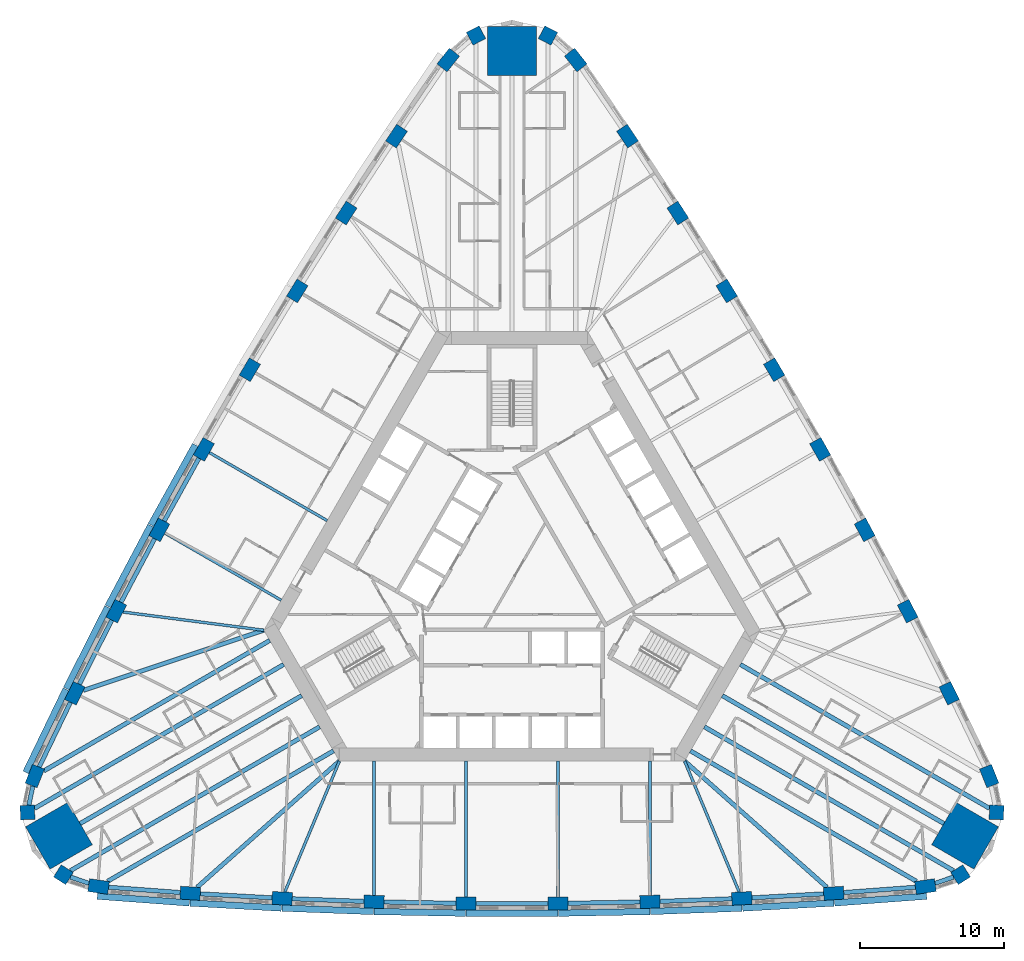
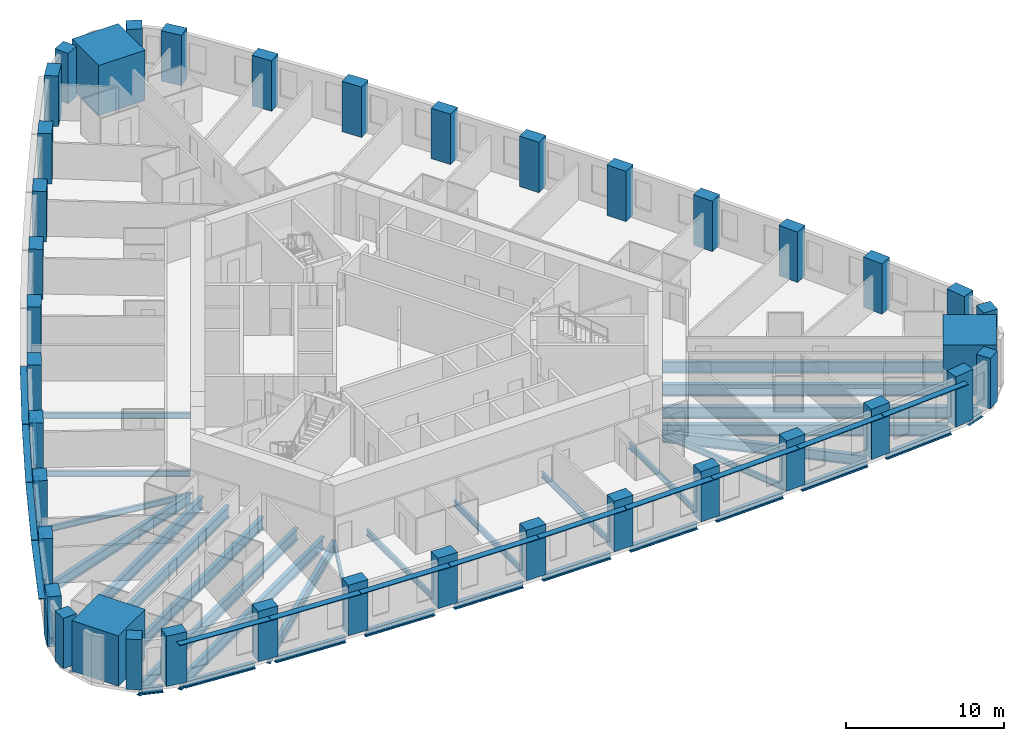
# One storey, part 1 of 13: 39 columns, 37 beams, 13 members.
"""IFC4 building model written with IfcOpenShell, lengths in metres."""

from ifc_helpers import new_model, si_unit, direction, frame, origin, origin_2d, place, context, subcontext, project, spatial, rectangle, i_section, extrude, material, material_profile, profile_set, type_object, element, save


model = new_model("IFC4")

# Units and contexts
model_context = context("Model", 3, precision=1e-05, world=origin(), true_north=direction((0.0, 1.0)))
body_context = subcontext(model_context, "Body", "Model", "MODEL_VIEW")
ifc_project = project(units=[si_unit("LENGTHUNIT", "METRE"), si_unit("AREAUNIT", "SQUARE_METRE"), si_unit("VOLUMEUNIT", "CUBIC_METRE"), si_unit("PLANEANGLEUNIT", "RADIAN"), si_unit("MASSUNIT", "GRAM", prefix="KILO")], contexts=[model_context])

# Site, building, storey
site_placement = place(None, origin())
site = spatial("IfcSite", under=ifc_project, at=site_placement, CompositionType="ELEMENT")
building_placement = place(site_placement, origin())
building = spatial("IfcBuilding", under=site, at=building_placement, Name="Mestral Congress Tower", CompositionType="ELEMENT")
storey_placement = place(building_placement, frame((0.0, 0.0, 54.89990234375)))
storey = spatial("IfcBuildingStorey", under=building, at=storey_placement, Name="L12", CompositionType="ELEMENT", Elevation=54.89990234375)

# Columns
ifc_material_1 = material(Name="Concrete C70/85", Category="concrete")
ifc_material_profile_1 = material_profile(ifc_material_1, rectangle(XDim=1.0, YDim=1.0, at=origin_2d()), Name="RC 1000x1000")
ifc_profile_set_1 = profile_set([ifc_material_profile_1], Name="Concrete C70/85")
column_type_1 = type_object("IfcColumnType", Name="Column RC 1000x1000 C70/85", PredefinedType="COLUMN", material=ifc_profile_set_1)
for number, where, z_axis, x_axis, name in (
    (1, (31.210205078125, -20.90966796875, 0.0), (0.0, 0.0, 1.0), (0.844485001826, 0.535579202071, 0.0), "COL-L12-C1-SE1"),
    (2, (33.71337890625, -16.573974609375, 0.0), (0.0, 0.0, 1.0), (0.041582693819, 0.999135065732, 0.0), "COL-L12-C1-SE3"),
    (3, (2.503173828125, 37.483642578125, 0.0), (0.0, 0.0, 1.0), (-0.886067695645, 0.463555863661, 0.0), "COL-L12-C1-N1"),
    (4, (-2.503173828125, 37.483642578125, 0.0), (0.0, 0.0, 1.0), (-0.886067695645, -0.463555863661, 0.0), "COL-L12-C1-N3"),
    (5, (-33.71337890625, -16.573974609375, 0.0), (0.0, 0.0, 1.0), (0.041582693819, -0.999135065732, 0.0), "COL-L12-C1-SW1"),
    (6, (-31.210205078125, -20.90966796875, 0.0), (0.0, 0.0, 1.0), (0.844485001826, -0.535579202071, 0.0), "COL-L12-C1-SW3"),
):
    element("IfcColumn", number, at=place(storey_placement, frame(where, z_axis=z_axis, x_axis=x_axis)), inside=storey, type_object=column_type_1, Name=name, PredefinedType="COLUMN", context=body_context, shape_type="SweptSolid", body=[
        extrude(rectangle(XDim=1.0, YDim=1.0, at=origin_2d()), origin(), (0.0, 0.0, 1.0), 3.900146484375),
    ])
ifc_material_profile_2 = material_profile(ifc_material_1, rectangle(XDim=1.39990234375, YDim=0.89990234375, at=origin_2d()), Name="RC 1400x900")
ifc_profile_set_2 = profile_set([ifc_material_profile_2], Name="Concrete C70/85")
column_type_2 = type_object("IfcColumnType", Name="Column RC 1400x900 C70/85", PredefinedType="COLUMN", material=ifc_profile_set_2)
for number, where, z_axis, x_axis, name in (
    (7, (-28.766845703125, -21.730712890625, 0.0), (0.0, 0.0, 1.0), (0.989423502484, -0.145055619443, 0.0), "COL-L12-C1-S00"),
    (8, (-22.384521484375, -22.20361328125, 0.0), (0.0, 0.0, 1.0), (0.997907501024, -0.064657709518, 0.0), "COL-L12-C1-S01"),
    (9, (-15.994384765625, -22.558349609375, 0.0), (0.0, 0.0, 1.0), (0.998932216029, -0.04619986774, 0.0), "COL-L12-C1-S02"),
    (10, (-9.598876953125, -22.794921875, 0.0), (0.0, 0.0, 1.0), (0.999615553977, -0.027726237529, 0.0), "COL-L12-C1-S03"),
    (11, (-3.199951171875, -22.9130859375, 0.0), (0.0, 0.0, 1.0), (0.999957281342, -0.009243132098, 0.0), "COL-L12-C1-S04"),
    (12, (3.199951171875, -22.9130859375, 0.0), (0.0, 0.0, 1.0), (0.999957281342, 0.009243132098, 0.0), "COL-L12-C1-S05"),
    (13, (9.598876953125, -22.794921875, 0.0), (0.0, 0.0, 1.0), (0.999615553977, 0.027726237529, 0.0), "COL-L12-C1-S06"),
    (14, (15.994384765625, -22.558349609375, 0.0), (0.0, 0.0, 1.0), (0.998932216029, 0.04619986774, 0.0), "COL-L12-C1-S07"),
    (15, (22.384521484375, -22.20361328125, 0.0), (0.0, 0.0, 1.0), (0.997907501024, 0.064657709518, 0.0), "COL-L12-C1-S08"),
    (16, (28.766845703125, -21.730712890625, 0.0), (0.0, 0.0, 1.0), (0.989423502484, 0.145055619443, 0.0), "COL-L12-C1-S09"),
    (17, (33.202880859375, -14.04736328125, 0.0), (0.0, 0.0, 1.0), (-0.369089899843, 0.929393697974, 0.0), "COL-L12-C1-E00"),
    (18, (30.421142578125, -8.28369140625, 0.0), (0.0, 0.0, 1.0), (-0.442958531519, 0.896542101273, 0.0), "COL-L12-C1-E01"),
    (19, (27.533203125, -2.572265625, 0.0), (0.0, 0.0, 1.0), (-0.4594558489, 0.88820060961, 0.0), "COL-L12-C1-E02"),
    (20, (24.540283203125, 3.084716796875, 0.0), (0.0, 0.0, 1.0), (-0.475796150937, 0.879555582526, 0.0), "COL-L12-C1-E03"),
    (21, (21.443359375, 8.685302734375, 0.0), (0.0, 0.0, 1.0), (-0.491973853463, 0.870609974391, 0.0), "COL-L12-C1-E04"),
    (22, (18.243408203125, 14.227783203125, 0.0), (0.0, 0.0, 1.0), (-0.507983427879, 0.861366842292, 0.0), "COL-L12-C1-E05"),
    (23, (14.941650390625, 19.710205078125, 0.0), (0.0, 0.0, 1.0), (-0.52381940304, 0.851829344998, 0.0), "COL-L12-C1-E06"),
    (24, (11.5390625, 25.130615234375, 0.0), (0.0, 0.0, 1.0), (-0.539476367129, 0.84200074187, 0.0), "COL-L12-C1-E07"),
    (25, (8.03662109375, 30.4873046875, 0.0), (0.0, 0.0, 1.0), (-0.554948969505, 0.831884391755, 0.0), "COL-L12-C1-E08"),
    (26, (4.43603515625, 35.7783203125, 0.0), (0.0, 0.0, 1.0), (-0.620333602641, 0.784338078531, 0.0), "COL-L12-C1-E09"),
    (27, (-4.43603515625, 35.7783203125, 0.0), (0.0, 0.0, 1.0), (-0.620333602641, -0.784338078531, 0.0), "COL-L12-C1-W00"),
    (28, (-8.03662109375, 30.4873046875, 0.0), (0.0, 0.0, 1.0), (-0.554948969505, -0.831884391755, 0.0), "COL-L12-C1-W01"),
    (29, (-11.5390625, 25.130615234375, 0.0), (0.0, 0.0, 1.0), (-0.539476367129, -0.84200074187, 0.0), "COL-L12-C1-W02"),
    (30, (-14.941650390625, 19.710205078125, 0.0), (0.0, 0.0, 1.0), (-0.52381940304, -0.851829344998, 0.0), "COL-L12-C1-W03"),
    (31, (-18.243408203125, 14.227783203125, 0.0), (0.0, 0.0, 1.0), (-0.507983427879, -0.861366842292, 0.0), "COL-L12-C1-W04"),
    (32, (-21.443359375, 8.685302734375, 0.0), (0.0, 0.0, 1.0), (-0.491973853463, -0.870609974391, 0.0), "COL-L12-C1-W05"),
    (33, (-24.540283203125, 3.084716796875, 0.0), (0.0, 0.0, 1.0), (-0.475796150937, -0.879555582526, 0.0), "COL-L12-C1-W06"),
    (34, (-27.533203125, -2.572265625, 0.0), (0.0, 0.0, 1.0), (-0.4594558489, -0.88820060961, 0.0), "COL-L12-C1-W07"),
    (35, (-30.421142578125, -8.28369140625, 0.0), (0.0, 0.0, 1.0), (-0.442958531519, -0.896542101273, 0.0), "COL-L12-C1-W08"),
    (36, (-33.202880859375, -14.04736328125, 0.0), (0.0, 0.0, 1.0), (-0.369089899843, -0.929393697974, 0.0), "COL-L12-C1-W09"),
):
    element("IfcColumn", number, at=place(storey_placement, frame(where, z_axis=z_axis, x_axis=x_axis)), inside=storey, type_object=column_type_2, Name=name, PredefinedType="COLUMN", context=body_context, shape_type="SweptSolid", body=[
        extrude(rectangle(XDim=1.39990234375, YDim=0.89990234375, at=origin_2d()), origin(), (0.0, 0.0, 1.0), 3.900146484375),
    ])
ifc_material_2 = material(Name="Concrete C80/95", Category="concrete")
ifc_material_profile_3 = material_profile(ifc_material_2, rectangle(XDim=3.39990234375, YDim=3.39990234375, at=origin_2d()), Name="RC 3400x3400")
ifc_profile_set_3 = profile_set([ifc_material_profile_3], Name="Concrete C80/95")
column_type_3 = type_object("IfcColumnType", Name="Mega column RC 3400x3400 C80/95", PredefinedType="COLUMN", material=ifc_profile_set_3)
for number, where, z_axis, x_axis, name in (
    (37, (31.5224609375, -18.199462890625, 0.0), (0.0, 0.0, 1.0), (0.866025403784, -0.5, 0.0), "COL-L12-PY1-SE"),
    (38, (0.0, 36.39892578125, 0.0), (0.0, 0.0, 1.0), (0.0, 1.0, 0.0), "COL-L12-PY1-N"),
    (39, (-31.5224609375, -18.199462890625, 0.0), (0.0, 0.0, 1.0), (-0.866025403784, -0.5, 0.0), "COL-L12-PY1-SW"),
):
    element("IfcColumn", number, at=place(storey_placement, frame(where, z_axis=z_axis, x_axis=x_axis)), inside=storey, type_object=column_type_3, Name=name, PredefinedType="COLUMN", context=body_context, shape_type="SweptSolid", body=[
        extrude(rectangle(XDim=3.39990234375, YDim=3.39990234375, at=origin_2d()), origin(), (0.0, 0.0, 1.0), 3.900146484375),
    ])

# Members
ifc_material_3 = material(Name="Glazed ceramic", Category="masonry")
ifc_material_profile_4 = material_profile(ifc_material_3, rectangle(XDim=0.449951171875, YDim=0.06005859375, at=origin_2d()), Name="Ceramic blade 450 x 60")
ifc_profile_set_4 = profile_set([ifc_material_profile_4], Name="Glazed ceramic")
member_type = type_object("IfcMemberType", Name="Facade sunshade blade 450 x 60", PredefinedType="USERDEFINED", material=ifc_profile_set_4)
member_1_placement = place(storey_placement, frame((-28.853271484375, -22.4013671875, 3.280029296875), z_axis=(0.997269829073, -0.073843672858, 0.0), x_axis=(0.073843672858, 0.997269829073, 0.0)))
element("IfcMember", 40, at=member_1_placement, inside=storey, type_object=member_type, Name="Sunshade F0-00", ObjectType="SUNSHADE", PredefinedType="USERDEFINED", context=body_context, shape_type="SweptSolid", body=[
    extrude(rectangle(XDim=0.449951171875, YDim=0.06005859375, at=origin_2d()), origin(), (0.0, 0.0, 1.0), 6.420654296875),
])
member_2_placement = place(storey_placement, frame((-22.406005859375, -22.87841796875, 3.280029296875), z_axis=(0.998462240013, -0.055436046654, 0.0), x_axis=(0.055436046654, 0.998462240013, 0.0)))
element("IfcMember", 41, at=member_2_placement, inside=storey, type_object=member_type, Name="Sunshade F0-01", ObjectType="SUNSHADE", PredefinedType="USERDEFINED", context=body_context, shape_type="SweptSolid", body=[
    extrude(rectangle(XDim=0.449951171875, YDim=0.06005859375, at=origin_2d()), origin(), (0.0, 0.0, 1.0), 6.3681640625),
])
member_3_placement = place(storey_placement, frame((-16.00341796875, -23.2333984375, 3.280029296875), z_axis=(0.99931546381, -0.036994645436, 0.0), x_axis=(0.036994645436, 0.99931546381, 0.0)))
element("IfcMember", 42, at=member_3_placement, inside=storey, type_object=member_type, Name="Sunshade F0-02", ObjectType="SUNSHADE", PredefinedType="USERDEFINED", context=body_context, shape_type="SweptSolid", body=[
    extrude(rectangle(XDim=0.449951171875, YDim=0.06005859375, at=origin_2d()), origin(), (0.0, 0.0, 1.0), 6.368408203125),
])
for number, where, z_axis, x_axis, name in (
    (43, (-9.595458984375, -23.47021484375, 3.280029296875), (0.99982925906, -0.018478439527, 0.0), (0.018478439527, 0.99982925906, 0.0), "Sunshade F0-03"),
    (44, (-3.18408203125, -23.588134765625, 3.280029296875), (1.0, 0.0, 0.0), (0.0, 1.0, 0.0), "Sunshade F0-04"),
    (45, (3.228271484375, -23.587890625, 3.280029296875), (0.99982925906, 0.018478439527, 0.0), (-0.018478439527, 0.99982925906, 0.0), "Sunshade F0-05"),
):
    element("IfcMember", number, at=place(storey_placement, frame(where, z_axis=z_axis, x_axis=x_axis)), inside=storey, type_object=member_type, Name=name, ObjectType="SUNSHADE", PredefinedType="USERDEFINED", context=body_context, shape_type="SweptSolid", body=[
        extrude(rectangle(XDim=0.449951171875, YDim=0.06005859375, at=origin_2d()), origin(), (0.0, 0.0, 1.0), 6.3681640625),
    ])
member_4_placement = place(storey_placement, frame((9.639404296875, -23.468994140625, 3.280029296875), z_axis=(0.99931546381, 0.036994645436, 0.0), x_axis=(-0.036994645436, 0.99931546381, 0.0)))
element("IfcMember", 46, at=member_4_placement, inside=storey, type_object=member_type, Name="Sunshade F0-06", ObjectType="SUNSHADE", PredefinedType="USERDEFINED", context=body_context, shape_type="SweptSolid", body=[
    extrude(rectangle(XDim=0.449951171875, YDim=0.06005859375, at=origin_2d()), origin(), (0.0, 0.0, 1.0), 6.368408203125),
])
member_5_placement = place(storey_placement, frame((16.047607421875, -23.2314453125, 3.280029296875), z_axis=(0.998462240013, 0.055436046654, 0.0), x_axis=(-0.055436046654, 0.998462240013, 0.0)))
element("IfcMember", 47, at=member_5_placement, inside=storey, type_object=member_type, Name="Sunshade F0-07", ObjectType="SUNSHADE", PredefinedType="USERDEFINED", context=body_context, shape_type="SweptSolid", body=[
    extrude(rectangle(XDim=0.449951171875, YDim=0.06005859375, at=origin_2d()), origin(), (0.0, 0.0, 1.0), 6.3681640625),
])
member_6_placement = place(storey_placement, frame((22.4501953125, -22.87548828125, 3.280029296875), z_axis=(0.997269829073, 0.073843672858, 0.0), x_axis=(-0.073843672858, 0.997269829073, 0.0)))
element("IfcMember", 48, at=member_6_placement, inside=storey, type_object=member_type, Name="Sunshade F0-08", ObjectType="SUNSHADE", PredefinedType="USERDEFINED", context=body_context, shape_type="SweptSolid", body=[
    extrude(rectangle(XDim=0.449951171875, YDim=0.06005859375, at=origin_2d()), origin(), (0.0, 0.0, 1.0), 6.420654296875),
])
for number, where, z_axis, x_axis, name in (
    (49, (-22.041748046875, 8.998291015625, 3.280029296875), (-0.483893994258, -0.875126620736, 0.0), (0.875126620736, -0.483893994258, 0.0), "Sunshade F2-05"),
    (50, (-25.144287109375, 3.38623046875, 3.280029296875), (-0.467674573128, -0.883900726128, 0.0), (0.883900726128, -0.467674573128, 0.0), "Sunshade F2-06"),
    (51, (-28.142822265625, -2.28173828125, 3.280029296875), (-0.451226804026, -0.892409307061, 0.0), (0.892409307061, -0.451226804026, 0.0), "Sunshade F2-07"),
):
    element("IfcMember", number, at=place(storey_placement, frame(where, z_axis=z_axis, x_axis=x_axis)), inside=storey, type_object=member_type, Name=name, ObjectType="SUNSHADE", PredefinedType="USERDEFINED", context=body_context, shape_type="SweptSolid", body=[
        extrude(rectangle(XDim=0.449951171875, YDim=0.06005859375, at=origin_2d()), origin(), (0.0, 0.0, 1.0), 6.3681640625),
    ])
member_7_placement = place(storey_placement, frame((-31.035888671875, -8.00439453125, 3.280029296875), z_axis=(-0.434637414368, -0.900605528537, 0.0), x_axis=(0.900605528537, -0.434637414368, 0.0)))
element("IfcMember", 52, at=member_7_placement, inside=storey, type_object=member_type, Name="Sunshade F2-08", ObjectType="SUNSHADE", PredefinedType="USERDEFINED", context=body_context, shape_type="SweptSolid", body=[
    extrude(rectangle(XDim=0.449951171875, YDim=0.06005859375, at=origin_2d()), origin(), (0.0, 0.0, 1.0), 6.4208984375),
])

# Beams
ifc_material_4 = material(Name="Steel S355", Category="steel")
ifc_material_profile_5 = material_profile(ifc_material_4, i_section(OverallWidth=0.300048828125, OverallDepth=0.800048828125, WebThickness=0.017578125, FlangeThickness=0.032958984375, FilletRadius=0.030029296875, at=origin_2d()), Name="HEB 800")
ifc_profile_set_5 = profile_set([ifc_material_profile_5], Name="Steel S355")
beam_type_1 = type_object("IfcBeamType", Name="Floor beam HEB 800 S355", PredefinedType="BEAM", material=ifc_profile_set_5)
for number, where, z_axis, x_axis, name in (
    (53, (-21.91064453125, -21.783447265625, -0.64990234375), (0.748091770025, 0.663595286015, 0.0), (-0.663595286015, 0.748091770025, 0.0), "BM-L12-RB1-S01"),
    (54, (21.91064453125, -21.783447265625, -0.64990234375), (-0.748091770025, 0.663595286015, 0.0), (-0.663595286015, -0.748091770025, 0.0), "BM-L12-RB1-S08"),
    (55, (-29.8203125, -8.08349609375, -0.64990234375), (0.948734931285, 0.316072824141, 0.0), (-0.316072824141, 0.948734931285, 0.0), "BM-L12-RB1-W08"),
):
    element("IfcBeam", number, at=place(storey_placement, frame(where, z_axis=z_axis, x_axis=x_axis)), inside=storey, type_object=beam_type_1, Name=name, PredefinedType="BEAM", context=body_context, shape_type="SweptSolid", body=[
        extrude(i_section(OverallWidth=0.300048828125, OverallDepth=0.800048828125, WebThickness=0.017578125, FlangeThickness=0.032958984375, FilletRadius=0.030029296875, at=origin_2d()), origin(), (0.0, 0.0, 1.0), 13.236083984375),
    ])
ifc_material_profile_6 = material_profile(ifc_material_4, i_section(OverallWidth=0.300048828125, OverallDepth=0.89990234375, WebThickness=0.0185546875, FlangeThickness=0.034912109375, FilletRadius=0.030029296875, at=origin_2d()), Name="HEB 900")
ifc_profile_set_6 = profile_set([ifc_material_profile_6], Name="Steel S355")
beam_type_2 = type_object("IfcBeamType", Name="Floor beam HEB 900 S355", PredefinedType="BEAM", material=ifc_profile_set_6)
for number, where, z_axis, x_axis, name in (
    (56, (-28.138671875, -21.3681640625, -0.699951171875), (0.866027243369, 0.499996813733, 0.0), (-0.499996813733, 0.866027243369, 0.0), "BM-L12-RB1-S00"),
    (57, (28.138671875, -21.3681640625, -0.699951171875), (-0.866027243369, 0.499996813733, 0.0), (-0.499996813733, -0.866027243369, 0.0), "BM-L12-RB1-S09"),
):
    element("IfcBeam", number, at=place(storey_placement, frame(where, z_axis=z_axis, x_axis=x_axis)), inside=storey, type_object=beam_type_2, Name=name, PredefinedType="BEAM", context=body_context, shape_type="SweptSolid", body=[
        extrude(i_section(OverallWidth=0.300048828125, OverallDepth=0.89990234375, WebThickness=0.0185546875, FlangeThickness=0.034912109375, FilletRadius=0.030029296875, at=origin_2d()), origin(), (0.0, 0.0, 1.0), 18.15283203125),
    ])
beam_1_placement = place(storey_placement, frame((30.721435546875, -20.62744140625, -0.699951171875), z_axis=(-0.866027382289, 0.499996573113, 0.0), x_axis=(-0.499996573113, -0.866027382289, 0.0)))
element("IfcBeam", 58, at=beam_1_placement, inside=storey, type_object=beam_type_2, Name="BM-L12-RB1-SE1", PredefinedType="BEAM", context=body_context, shape_type="SweptSolid", body=[
    extrude(i_section(OverallWidth=0.300048828125, OverallDepth=0.89990234375, WebThickness=0.0185546875, FlangeThickness=0.034912109375, FilletRadius=0.030029296875, at=origin_2d()), origin(), (0.0, 0.0, 1.0), 20.019287109375),
])
beam_2_placement = place(storey_placement, frame((30.050048828125, -17.349609375, -0.699951171875), z_axis=(-0.866020438056, 0.500008600796, 0.0), x_axis=(-0.500008600796, -0.866020438056, 0.0)))
element("IfcBeam", 59, at=beam_2_placement, inside=storey, type_object=beam_type_2, Name="BM-L12-RB1-SE", PredefinedType="BEAM", context=body_context, shape_type="SweptSolid", body=[
    extrude(i_section(OverallWidth=0.300048828125, OverallDepth=0.89990234375, WebThickness=0.0185546875, FlangeThickness=0.034912109375, FilletRadius=0.030029296875, at=origin_2d()), origin(), (0.0, 0.0, 1.0), 17.799072265625),
])
beam_3_placement = place(storey_placement, frame((33.224609375, -16.291748046875, -0.699951171875), z_axis=(-0.866027382289, 0.499996573113, 0.0), x_axis=(-0.499996573113, -0.866027382289, 0.0)))
element("IfcBeam", 60, at=beam_3_placement, inside=storey, type_object=beam_type_2, Name="BM-L12-RB1-SE3", PredefinedType="BEAM", context=body_context, shape_type="SweptSolid", body=[
    extrude(i_section(OverallWidth=0.300048828125, OverallDepth=0.89990234375, WebThickness=0.0185546875, FlangeThickness=0.034912109375, FilletRadius=0.030029296875, at=origin_2d()), origin(), (0.0, 0.0, 1.0), 20.019287109375),
])
beam_4_placement = place(storey_placement, frame((-32.574462890625, -13.6845703125, -0.699951171875), z_axis=(0.866029704776, 0.49999255039, 0.0), x_axis=(-0.49999255039, 0.866029704776, 0.0)))
element("IfcBeam", 61, at=beam_4_placement, inside=storey, type_object=beam_type_2, Name="BM-L12-RB1-W09", PredefinedType="BEAM", context=body_context, shape_type="SweptSolid", body=[
    extrude(i_section(OverallWidth=0.300048828125, OverallDepth=0.89990234375, WebThickness=0.0185546875, FlangeThickness=0.034912109375, FilletRadius=0.030029296875, at=origin_2d()), origin(), (0.0, 0.0, 1.0), 18.152587890625),
])
beam_5_placement = place(storey_placement, frame((-33.224609375, -16.291748046875, -0.699951171875), z_axis=(0.866027382289, 0.499996573113, 0.0), x_axis=(-0.499996573113, 0.866027382289, 0.0)))
element("IfcBeam", 62, at=beam_5_placement, inside=storey, type_object=beam_type_2, Name="BM-L12-RB1-SW1", PredefinedType="BEAM", context=body_context, shape_type="SweptSolid", body=[
    extrude(i_section(OverallWidth=0.300048828125, OverallDepth=0.89990234375, WebThickness=0.0185546875, FlangeThickness=0.034912109375, FilletRadius=0.030029296875, at=origin_2d()), origin(), (0.0, 0.0, 1.0), 20.019287109375),
])
beam_6_placement = place(storey_placement, frame((-30.050048828125, -17.349609375, -0.699951171875), z_axis=(0.866020438056, 0.500008600796, 0.0), x_axis=(-0.500008600796, 0.866020438056, 0.0)))
element("IfcBeam", 63, at=beam_6_placement, inside=storey, type_object=beam_type_2, Name="BM-L12-RB1-SW", PredefinedType="BEAM", context=body_context, shape_type="SweptSolid", body=[
    extrude(i_section(OverallWidth=0.300048828125, OverallDepth=0.89990234375, WebThickness=0.0185546875, FlangeThickness=0.034912109375, FilletRadius=0.030029296875, at=origin_2d()), origin(), (0.0, 0.0, 1.0), 17.799072265625),
])
beam_7_placement = place(storey_placement, frame((-30.721435546875, -20.62744140625, -0.699951171875), z_axis=(0.866027382289, 0.499996573113, 0.0), x_axis=(-0.499996573113, 0.866027382289, 0.0)))
element("IfcBeam", 64, at=beam_7_placement, inside=storey, type_object=beam_type_2, Name="BM-L12-RB1-SW3", PredefinedType="BEAM", context=body_context, shape_type="SweptSolid", body=[
    extrude(i_section(OverallWidth=0.300048828125, OverallDepth=0.89990234375, WebThickness=0.0185546875, FlangeThickness=0.034912109375, FilletRadius=0.030029296875, at=origin_2d()), origin(), (0.0, 0.0, 1.0), 20.019287109375),
])
ifc_material_profile_7 = material_profile(ifc_material_4, i_section(OverallWidth=0.18994140625, OverallDepth=0.449951171875, WebThickness=0.009521484375, FlangeThickness=0.0146484375, FilletRadius=0.02099609375, at=origin_2d()), Name="IPE 450")
ifc_profile_set_7 = profile_set([ifc_material_profile_7], Name="Steel S355")
beam_type_3 = type_object("IfcBeamType", Name="Floor beam IPE 450 S355", PredefinedType="BEAM", material=ifc_profile_set_7)
beam_8_placement = place(storey_placement, frame((-15.81005859375, -22.116455078125, -0.474853515625), z_axis=(0.384852309441, 0.922978168711, 0.0), x_axis=(-0.922978168711, 0.384852309441, 0.0)))
element("IfcBeam", 65, at=beam_8_placement, inside=storey, type_object=beam_type_3, Name="BM-L12-RB1-S02", PredefinedType="BEAM", context=body_context, shape_type="SweptSolid", body=[
    extrude(i_section(OverallWidth=0.18994140625, OverallDepth=0.449951171875, WebThickness=0.009521484375, FlangeThickness=0.0146484375, FilletRadius=0.02099609375, at=origin_2d()), origin(), (0.0, 0.0, 1.0), 9.877197265625),
])
beam_9_placement = place(storey_placement, frame((-9.598876953125, -22.3447265625, -0.474853515625), z_axis=(0.0, 1.0, 0.0), x_axis=(-1.0, 0.0, 0.0)))
element("IfcBeam", 66, at=beam_9_placement, inside=storey, type_object=beam_type_3, Name="BM-L12-RB1-S03", PredefinedType="BEAM", context=body_context, shape_type="SweptSolid", body=[
    extrude(i_section(OverallWidth=0.18994140625, OverallDepth=0.449951171875, WebThickness=0.009521484375, FlangeThickness=0.0146484375, FilletRadius=0.02099609375, at=origin_2d()), origin(), (0.0, 0.0, 1.0), 9.3447265625),
])
for number, where, z_axis, x_axis, name in (
    (67, (-3.199951171875, -22.463134765625, -0.474853515625), (0.0, 1.0, 0.0), (-1.0, 0.0, 0.0), "BM-L12-RB1-S04"),
    (68, (3.199951171875, -22.463134765625, -0.474853515625), (0.0, 1.0, 0.0), (-1.0, 0.0, 0.0), "BM-L12-RB1-S05"),
):
    element("IfcBeam", number, at=place(storey_placement, frame(where, z_axis=z_axis, x_axis=x_axis)), inside=storey, type_object=beam_type_3, Name=name, PredefinedType="BEAM", context=body_context, shape_type="SweptSolid", body=[
        extrude(i_section(OverallWidth=0.18994140625, OverallDepth=0.449951171875, WebThickness=0.009521484375, FlangeThickness=0.0146484375, FilletRadius=0.02099609375, at=origin_2d()), origin(), (0.0, 0.0, 1.0), 9.463134765625),
    ])
beam_10_placement = place(storey_placement, frame((9.598876953125, -22.3447265625, -0.474853515625), z_axis=(0.0, 1.0, 0.0), x_axis=(-1.0, 0.0, 0.0)))
element("IfcBeam", 69, at=beam_10_placement, inside=storey, type_object=beam_type_3, Name="BM-L12-RB1-S06", PredefinedType="BEAM", context=body_context, shape_type="SweptSolid", body=[
    extrude(i_section(OverallWidth=0.18994140625, OverallDepth=0.449951171875, WebThickness=0.009521484375, FlangeThickness=0.0146484375, FilletRadius=0.02099609375, at=origin_2d()), origin(), (0.0, 0.0, 1.0), 9.3447265625),
])
beam_11_placement = place(storey_placement, frame((15.81005859375, -22.116455078125, -0.474853515625), z_axis=(-0.384852309441, 0.922978168711, 0.0), x_axis=(-0.922978168711, -0.384852309441, 0.0)))
element("IfcBeam", 70, at=beam_11_placement, inside=storey, type_object=beam_type_3, Name="BM-L12-RB1-S07", PredefinedType="BEAM", context=body_context, shape_type="SweptSolid", body=[
    extrude(i_section(OverallWidth=0.18994140625, OverallDepth=0.449951171875, WebThickness=0.009521484375, FlangeThickness=0.0146484375, FilletRadius=0.02099609375, at=origin_2d()), origin(), (0.0, 0.0, 1.0), 9.877197265625),
])
beam_12_placement = place(storey_placement, frame((-21.0537109375, 8.46044921875, -0.474853515625), z_axis=(0.866019749231, -0.500009793847, 0.0), x_axis=(0.500009793847, 0.866019749231, 0.0)))
element("IfcBeam", 71, at=beam_12_placement, inside=storey, type_object=beam_type_3, Name="BM-L12-RB1-W05", PredefinedType="BEAM", context=body_context, shape_type="SweptSolid", body=[
    extrude(i_section(OverallWidth=0.18994140625, OverallDepth=0.449951171875, WebThickness=0.009521484375, FlangeThickness=0.0146484375, FilletRadius=0.02099609375, at=origin_2d()), origin(), (0.0, 0.0, 1.0), 9.463134765625),
])
beam_13_placement = place(storey_placement, frame((-24.150634765625, 2.859619140625, -0.474853515625), z_axis=(0.866032011123, -0.499988555579, 0.0), x_axis=(0.499988555579, 0.866032011123, 0.0)))
element("IfcBeam", 72, at=beam_13_placement, inside=storey, type_object=beam_type_3, Name="BM-L12-RB1-W06", PredefinedType="BEAM", context=body_context, shape_type="SweptSolid", body=[
    extrude(i_section(OverallWidth=0.18994140625, OverallDepth=0.449951171875, WebThickness=0.009521484375, FlangeThickness=0.0146484375, FilletRadius=0.02099609375, at=origin_2d()), origin(), (0.0, 0.0, 1.0), 9.344970703125),
])
beam_14_placement = place(storey_placement, frame((-27.058349609375, -2.6337890625, -0.474853515625), z_axis=(0.99175011495, -0.128186229747, 0.0), x_axis=(0.128186229747, 0.99175011495, 0.0)))
element("IfcBeam", 73, at=beam_14_placement, inside=storey, type_object=beam_type_3, Name="BM-L12-RB1-W07", PredefinedType="BEAM", context=body_context, shape_type="SweptSolid", body=[
    extrude(i_section(OverallWidth=0.18994140625, OverallDepth=0.449951171875, WebThickness=0.009521484375, FlangeThickness=0.0146484375, FilletRadius=0.02099609375, at=origin_2d()), origin(), (0.0, 0.0, 1.0), 9.877197265625),
])
ifc_material_profile_8 = material_profile(ifc_material_4, i_section(OverallWidth=0.300048828125, OverallDepth=0.489990234375, WebThickness=0.011962890625, FlangeThickness=0.02294921875, FilletRadius=0.027099609375, at=origin_2d()), Name="HEA 500")
ifc_profile_set_8 = profile_set([ifc_material_profile_8], Name="Steel S355")
beam_type_4 = type_object("IfcBeamType", Name="Spandrel beam HEA 500 S355", PredefinedType="BEAM", material=ifc_profile_set_8)
beam_15_placement = place(storey_placement, frame((-28.06689453125, -21.78271484375, -0.494873046875), z_axis=(0.997268820599, -0.073857291181, 0.0), x_axis=(0.073857291181, 0.997268820599, 0.0)))
element("IfcBeam", 74, at=beam_15_placement, inside=storey, type_object=beam_type_4, Name="SP-L12-SB1-S00", PredefinedType="BEAM", context=body_context, shape_type="SweptSolid", body=[
    extrude(i_section(OverallWidth=0.300048828125, OverallDepth=0.489990234375, WebThickness=0.011962890625, FlangeThickness=0.02294921875, FilletRadius=0.027099609375, at=origin_2d()), origin(), (0.0, 0.0, 1.0), 4.998046875),
])
for number, where, z_axis, x_axis, name in (
    (75, (-21.685546875, -22.242431640625, -0.494873046875), (0.998463056415, -0.055421340426, 0.0), (0.055421340426, 0.998463056415, 0.0), "SP-L12-SB1-S01"),
    (76, (-15.294677734375, -22.584228515625, -0.494873046875), (0.999316571833, -0.036964702901, 0.0), (0.036964702901, 0.999316571833, 0.0), "SP-L12-SB1-S02"),
    (77, (-8.89892578125, -22.807861328125, -0.494873046875), (0.999829645984, -0.018457492, 0.0), (0.018457492, 0.999829645984, 0.0), "SP-L12-SB1-S03"),
):
    element("IfcBeam", number, at=place(storey_placement, frame(where, z_axis=z_axis, x_axis=x_axis)), inside=storey, type_object=beam_type_4, Name=name, PredefinedType="BEAM", context=body_context, shape_type="SweptSolid", body=[
        extrude(i_section(OverallWidth=0.300048828125, OverallDepth=0.489990234375, WebThickness=0.011962890625, FlangeThickness=0.02294921875, FilletRadius=0.027099609375, at=origin_2d()), origin(), (0.0, 0.0, 1.0), 4.999755859375),
    ])
beam_16_placement = place(storey_placement, frame((-2.5, -22.9130859375, -0.494873046875), z_axis=(1.0, 0.0, 0.0), x_axis=(0.0, 1.0, 0.0)))
element("IfcBeam", 78, at=beam_16_placement, inside=storey, type_object=beam_type_4, Name="SP-L12-SB1-S04", PredefinedType="BEAM", context=body_context, shape_type="SweptSolid", body=[
    extrude(i_section(OverallWidth=0.300048828125, OverallDepth=0.489990234375, WebThickness=0.011962890625, FlangeThickness=0.02294921875, FilletRadius=0.027099609375, at=origin_2d()), origin(), (0.0, 0.0, 1.0), 5.0),
])
for number, where, z_axis, x_axis, name in (
    (79, (3.89990234375, -22.900146484375, -0.494873046875), (0.999829645984, 0.018457492, 0.0), (-0.018457492, 0.999829645984, 0.0), "SP-L12-SB1-S05"),
    (80, (10.29833984375, -22.76904296875, -0.494873046875), (0.999316571833, 0.036964702901, 0.0), (-0.036964702901, 0.999316571833, 0.0), "SP-L12-SB1-S06"),
    (81, (16.693359375, -22.51953125, -0.494873046875), (0.998463056415, 0.055421340426, 0.0), (-0.055421340426, 0.998463056415, 0.0), "SP-L12-SB1-S07"),
):
    element("IfcBeam", number, at=place(storey_placement, frame(where, z_axis=z_axis, x_axis=x_axis)), inside=storey, type_object=beam_type_4, Name=name, PredefinedType="BEAM", context=body_context, shape_type="SweptSolid", body=[
        extrude(i_section(OverallWidth=0.300048828125, OverallDepth=0.489990234375, WebThickness=0.011962890625, FlangeThickness=0.02294921875, FilletRadius=0.027099609375, at=origin_2d()), origin(), (0.0, 0.0, 1.0), 4.999755859375),
    ])
beam_17_placement = place(storey_placement, frame((23.08251953125, -22.15185546875, -0.494873046875), z_axis=(0.997268820599, 0.073857291181, 0.0), x_axis=(-0.073857291181, 0.997268820599, 0.0)))
element("IfcBeam", 82, at=beam_17_placement, inside=storey, type_object=beam_type_4, Name="SP-L12-SB1-S08", PredefinedType="BEAM", context=body_context, shape_type="SweptSolid", body=[
    extrude(i_section(OverallWidth=0.300048828125, OverallDepth=0.489990234375, WebThickness=0.011962890625, FlangeThickness=0.02294921875, FilletRadius=0.027099609375, at=origin_2d()), origin(), (0.0, 0.0, 1.0), 4.998046875),
])
beam_18_placement = place(storey_placement, frame((29.441162109375, -21.504150390625, -0.494873046875), z_axis=(0.947921796083, 0.318503168762, 0.0), x_axis=(-0.318503168762, 0.947921796083, 0.0)))
element("IfcBeam", 83, at=beam_18_placement, inside=storey, type_object=beam_type_4, Name="SP-L12-SB1-S09", PredefinedType="BEAM", context=body_context, shape_type="SweptSolid", body=[
    extrude(i_section(OverallWidth=0.300048828125, OverallDepth=0.489990234375, WebThickness=0.011962890625, FlangeThickness=0.02294921875, FilletRadius=0.027099609375, at=origin_2d()), origin(), (0.0, 0.0, 1.0), 1.351318359375),
])
beam_19_placement = place(storey_placement, frame((-21.7822265625, 8.07275390625, -0.494873046875), z_axis=(-0.483900688062, -0.875122919419, 0.0), x_axis=(0.875122919419, -0.483900688062, 0.0)))
element("IfcBeam", 84, at=beam_19_placement, inside=storey, type_object=beam_type_4, Name="SP-L12-SB1-W05", PredefinedType="BEAM", context=body_context, shape_type="SweptSolid", body=[
    extrude(i_section(OverallWidth=0.300048828125, OverallDepth=0.489990234375, WebThickness=0.011962890625, FlangeThickness=0.02294921875, FilletRadius=0.027099609375, at=origin_2d()), origin(), (0.0, 0.0, 1.0), 4.999755859375),
])
beam_20_placement = place(storey_placement, frame((-24.86767578125, 2.4658203125, -0.494873046875), z_axis=(-0.467681307417, -0.883897162962, 0.0), x_axis=(0.883897162962, -0.467681307417, 0.0)))
element("IfcBeam", 85, at=beam_20_placement, inside=storey, type_object=beam_type_4, Name="SP-L12-SB1-W06", PredefinedType="BEAM", context=body_context, shape_type="SweptSolid", body=[
    extrude(i_section(OverallWidth=0.300048828125, OverallDepth=0.489990234375, WebThickness=0.011962890625, FlangeThickness=0.02294921875, FilletRadius=0.027099609375, at=origin_2d()), origin(), (0.0, 0.0, 1.0), 5.0),
])
beam_21_placement = place(storey_placement, frame((-27.84912109375, -3.197021484375, -0.494873046875), z_axis=(-0.45123261425, -0.892406369227, 0.0), x_axis=(0.892406369227, -0.45123261425, 0.0)))
element("IfcBeam", 86, at=beam_21_placement, inside=storey, type_object=beam_type_4, Name="SP-L12-SB1-W07", PredefinedType="BEAM", context=body_context, shape_type="SweptSolid", body=[
    extrude(i_section(OverallWidth=0.300048828125, OverallDepth=0.489990234375, WebThickness=0.011962890625, FlangeThickness=0.02294921875, FilletRadius=0.027099609375, at=origin_2d()), origin(), (0.0, 0.0, 1.0), 4.999755859375),
])
beam_22_placement = place(storey_placement, frame((-30.725341796875, -8.9140625, -0.494873046875), z_axis=(-0.434645244295, -0.900601749727, 0.0), x_axis=(0.900601749727, -0.434645244295, 0.0)))
element("IfcBeam", 87, at=beam_22_placement, inside=storey, type_object=beam_type_4, Name="SP-L12-SB1-W08", PredefinedType="BEAM", context=body_context, shape_type="SweptSolid", body=[
    extrude(i_section(OverallWidth=0.300048828125, OverallDepth=0.489990234375, WebThickness=0.011962890625, FlangeThickness=0.02294921875, FilletRadius=0.027099609375, at=origin_2d()), origin(), (0.0, 0.0, 1.0), 4.998046875),
])
beam_23_placement = place(storey_placement, frame((-33.34375, -14.74462890625, -0.494873046875), z_axis=(-0.197991750859, -0.980203686277, 0.0), x_axis=(0.980203686277, -0.197991750859, 0.0)))
element("IfcBeam", 88, at=beam_23_placement, inside=storey, type_object=beam_type_4, Name="SP-L12-SB1-W09", PredefinedType="BEAM", context=body_context, shape_type="SweptSolid", body=[
    extrude(i_section(OverallWidth=0.300048828125, OverallDepth=0.489990234375, WebThickness=0.011962890625, FlangeThickness=0.02294921875, FilletRadius=0.027099609375, at=origin_2d()), origin(), (0.0, 0.0, 1.0), 1.3515625),
])
beam_24_placement = place(storey_placement, frame((-30.72216796875, -21.07373046875, -0.494873046875), z_axis=(0.947921796083, -0.318503168762, 0.0), x_axis=(0.318503168762, 0.947921796083, 0.0)))
element("IfcBeam", 89, at=beam_24_placement, inside=storey, type_object=beam_type_4, Name="SP-L12-SB1-SW3", PredefinedType="BEAM", context=body_context, shape_type="SweptSolid", body=[
    extrude(i_section(OverallWidth=0.300048828125, OverallDepth=0.489990234375, WebThickness=0.011962890625, FlangeThickness=0.02294921875, FilletRadius=0.027099609375, at=origin_2d()), origin(), (0.0, 0.0, 1.0), 1.351318359375),
])

save(model, "model.ifc")
